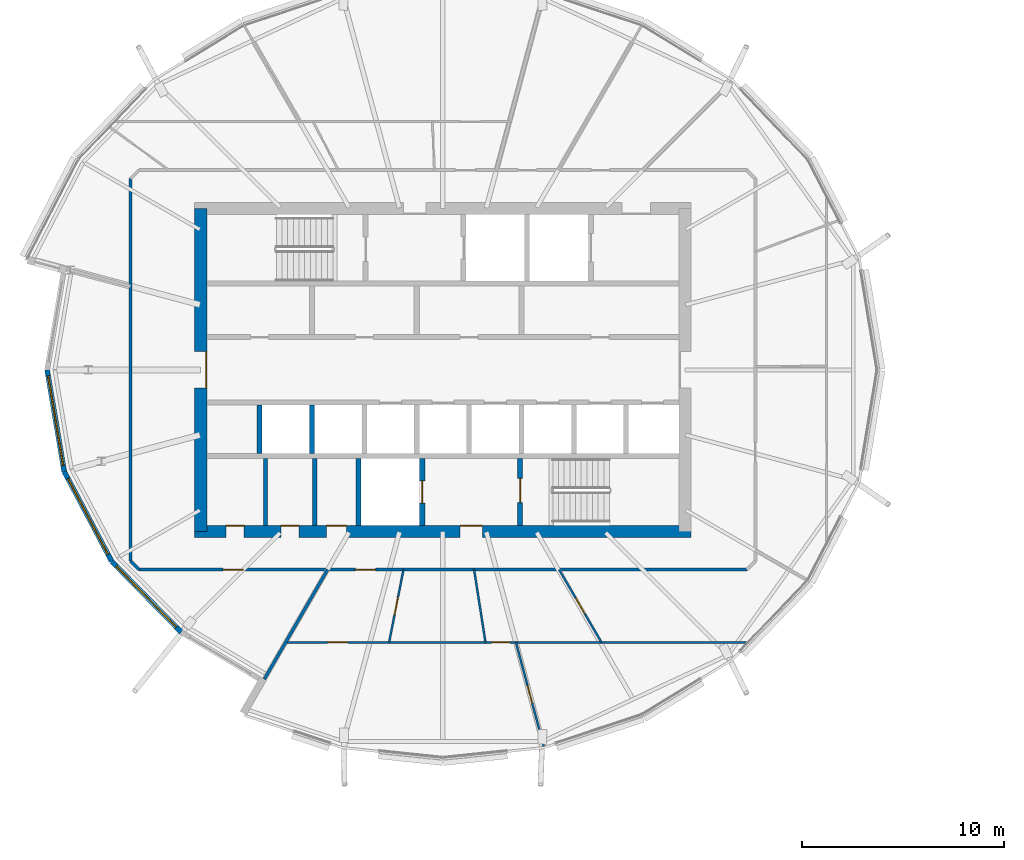
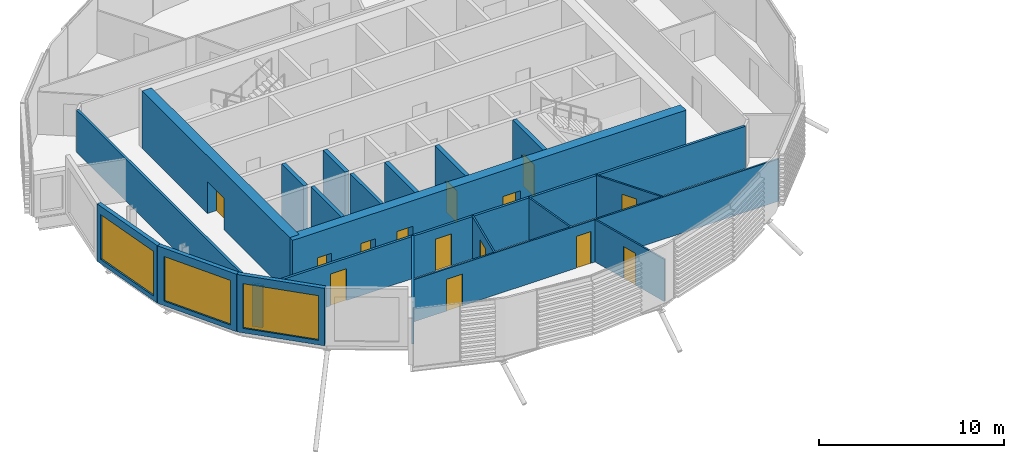
# One storey, part 18 of 35: 22 walls, 14 doors, 3 windows, 17 openings.
"""IFC4 building model written with IfcOpenShell, lengths in metres."""

from ifc_helpers import new_model, si_unit, direction, frame, frame_2d, origin, place, context, subcontext, project, spatial, rectangle, extrude, material, layer, layer_set, type_object, element, fill, save


model = new_model("IFC4")

# Units and contexts
model_context = context("Model", 3, precision=1e-05, world=origin(), true_north=direction((0.0, 1.0)))
body_context = subcontext(model_context, "Body", "Model", "MODEL_VIEW")
ifc_project = project(units=[si_unit("LENGTHUNIT", "METRE"), si_unit("AREAUNIT", "SQUARE_METRE"), si_unit("VOLUMEUNIT", "CUBIC_METRE"), si_unit("PLANEANGLEUNIT", "RADIAN"), si_unit("MASSUNIT", "GRAM", prefix="KILO")], contexts=[model_context])

# Site, building, storey
site_placement = place(None, origin())
site = spatial("IfcSite", under=ifc_project, at=site_placement, CompositionType="ELEMENT")
building_placement = place(site_placement, origin())
building = spatial("IfcBuilding", under=site, at=building_placement, Name="Rimbun Link Towers", CompositionType="ELEMENT")
storey_placement = place(building_placement, frame((0.0, 0.0, 196.89990234375)))
storey = spatial("IfcBuildingStorey", under=building, at=storey_placement, Name="L48", CompositionType="ELEMENT", Elevation=196.89990234375)

# Wall, opening, window
ifc_material_1 = material(Name="Dark enamelled glass spandrel on insulated aluminium backpan", Category="aluminium")
ifc_layer_1 = layer(ifc_material_1, 0.25)
ifc_layer_set_1 = layer_set([ifc_layer_1], Name="CS dark enamelled spandrel wall 250")
wall_type_1 = type_object("IfcWallType", Name="CS dark enamelled spandrel wall 250", PredefinedType="STANDARD", material=ifc_layer_set_1)
wall_1_placement = place(storey_placement, frame((-50.514892578125, -5.036376953125, 0.0), z_axis=(0.0, 0.0, 1.0), x_axis=(-0.165553983504, 0.986200729338, 0.0)))
wall_1 = element("IfcWall", 1, at=wall_1_placement, inside=storey, type_object=wall_type_1, Name="Crease spandrel wall", PredefinedType="STANDARD", context=body_context, shape_type="SweptSolid", body=[
    extrude(rectangle(XDim=5.10693359375, YDim=0.25, at=frame_2d((2.553466796875, 0.0))), origin(), (0.0, 0.0, 1.0), 3.800048828125),
])
opening_1_placement = place(wall_1_placement, frame((0.303466796875, 0.0, 0.300048828125)))
opening_1 = element("IfcOpeningElement", 2, at=opening_1_placement, cuts=wall_1, Name="Opening WR45H295", PredefinedType="OPENING", context=body_context, shape_type="SweptSolid", body=[
    extrude(rectangle(XDim=4.5, YDim=2.949951171875, at=frame_2d((2.25, 1.47509765625))), frame((0.0, 0.135009765625, 0.0), z_axis=(0.0, -1.0, 0.0), x_axis=(1.0, 0.0, 0.0)), (0.0, 0.0, 1.0), 0.27001953125),
])
ifc_material_2 = material(Name="Aluminium framed fixed window, dark tinted low-e glass", Category="aluminium")
window_type_1 = type_object("IfcWindowType", Name="WR ribbon window 4500X2950", PartitioningType="SINGLE_PANEL", PredefinedType="WINDOW", material=ifc_material_2)
window_1_placement = place(opening_1_placement, origin())
window_1 = element("IfcWindow", 3, at=window_1_placement, inside=storey, type_object=window_type_1, Name="Crease ribbon window", OverallHeight=2.949951171875, OverallWidth=4.5, PartitioningType="SINGLE_PANEL", PredefinedType="WINDOW", context=body_context, shape_type="SweptSolid", body=[
    extrude(rectangle(XDim=4.5, YDim=2.949951171875, at=frame_2d((2.25, 1.47509765625))), frame((0.0, 0.030029296875, 0.0), z_axis=(0.0, -1.0, 0.0), x_axis=(1.0, 0.0, 0.0)), (0.0, 0.0, 1.0), 0.06005859375),
])
fill(opening_1, window_1)

wall_2_placement = place(storey_placement, frame((-48.160400390625, -9.490234375, 0.0), z_axis=(0.0, 0.0, 1.0), x_axis=(-0.467355484164, 0.884069483368, 0.0)))
wall_2 = element("IfcWall", 4, at=wall_2_placement, inside=storey, type_object=wall_type_1, Name="Crease spandrel wall", PredefinedType="STANDARD", context=body_context, shape_type="SweptSolid", body=[
    extrude(rectangle(XDim=5.037841796875, YDim=0.25, at=frame_2d((2.51904296875, 0.0))), origin(), (0.0, 0.0, 1.0), 3.800048828125),
])
opening_2_placement = place(wall_2_placement, frame((0.393798828125, 0.0, 0.300048828125)))
opening_2 = element("IfcOpeningElement", 5, at=opening_2_placement, cuts=wall_2, Name="Opening WR42H295", PredefinedType="OPENING", context=body_context, shape_type="SweptSolid", body=[
    extrude(rectangle(XDim=4.25, YDim=2.949951171875, at=frame_2d((2.125, 1.47509765625))), frame((0.0, 0.135009765625, 0.0), z_axis=(0.0, -1.0, 0.0), x_axis=(1.0, 0.0, 0.0)), (0.0, 0.0, 1.0), 0.27001953125),
])
ifc_material_3 = material(Name="Aluminium framed fixed window, dark tinted low-e glass", Category="aluminium")
window_type_2 = type_object("IfcWindowType", Name="WR ribbon window 4250X2950", PartitioningType="SINGLE_PANEL", PredefinedType="WINDOW", material=ifc_material_3)
window_2_placement = place(opening_2_placement, origin())
window_2 = element("IfcWindow", 6, at=window_2_placement, inside=storey, type_object=window_type_2, Name="Crease ribbon window", OverallHeight=2.949951171875, OverallWidth=4.25, PartitioningType="SINGLE_PANEL", PredefinedType="WINDOW", context=body_context, shape_type="SweptSolid", body=[
    extrude(rectangle(XDim=4.25, YDim=2.949951171875, at=frame_2d((2.125, 1.47509765625))), frame((0.0, 0.030029296875, 0.0), z_axis=(0.0, -1.0, 0.0), x_axis=(1.0, 0.0, 0.0)), (0.0, 0.0, 1.0), 0.06005859375),
])
fill(opening_2, window_2)

wall_3_placement = place(storey_placement, frame((-44.72216796875, -12.9931640625, 0.0), z_axis=(0.0, 0.0, 1.0), x_axis=(-0.700485544397, 0.713666590287, 0.0)))
wall_3 = element("IfcWall", 7, at=wall_3_placement, inside=storey, type_object=wall_type_1, Name="Crease spandrel wall", PredefinedType="STANDARD", context=body_context, shape_type="SweptSolid", body=[
    extrude(rectangle(XDim=4.908447265625, YDim=0.25, at=frame_2d((2.4541015625, 0.0))), origin(), (0.0, 0.0, 1.0), 3.800048828125),
])
opening_3_placement = place(wall_3_placement, frame((0.329345703125, 0.0, 0.300048828125)))
opening_3 = element("IfcOpeningElement", 8, at=opening_3_placement, cuts=wall_3, Name="Opening WR42H295", PredefinedType="OPENING", context=body_context, shape_type="SweptSolid", body=[
    extrude(rectangle(XDim=4.25, YDim=2.949951171875, at=frame_2d((2.125, 1.47509765625))), frame((0.0, 0.135009765625, 0.0), z_axis=(0.0, -1.0, 0.0), x_axis=(1.0, 0.0, 0.0)), (0.0, 0.0, 1.0), 0.27001953125),
])
window_3_placement = place(opening_3_placement, origin())
window_3 = element("IfcWindow", 9, at=window_3_placement, inside=storey, type_object=window_type_2, Name="Crease ribbon window", OverallHeight=2.949951171875, OverallWidth=4.25, PartitioningType="SINGLE_PANEL", PredefinedType="WINDOW", context=body_context, shape_type="SweptSolid", body=[
    extrude(rectangle(XDim=4.25, YDim=2.949951171875, at=frame_2d((2.125, 1.47509765625))), frame((0.0, 0.030029296875, 0.0), z_axis=(0.0, -1.0, 0.0), x_axis=(1.0, 0.0, 0.0)), (0.0, 0.0, 1.0), 0.06005859375),
])
fill(opening_3, window_3)

# Walls
ifc_material_4 = material(Name="Masonry blockwork", Category="masonry")
ifc_layer_2 = layer(ifc_material_4, 0.199951171875)
ifc_layer_set_2 = layer_set([ifc_layer_2], Name="Core partition 200")
wall_type_2 = type_object("IfcWallType", Name="Core partition 200", PredefinedType="PARTITIONING", material=ifc_layer_set_2)
for number, where, z_axis, x_axis, name in (
    (10, (-40.550048828125, -4.39990234375, 0.0), (0.0, 0.0, 1.0), (0.0, -1.0, 0.0), "L48 T1 core wall C1"),
    (11, (-38.10009765625, -4.39990234375, 0.0), (0.0, 0.0, 1.0), (0.0, -1.0, 0.0), "L48 T1 core wall C2"),
):
    element("IfcWall", number, at=place(storey_placement, frame(where, z_axis=z_axis, x_axis=x_axis)), inside=storey, type_object=wall_type_2, Name=name, PredefinedType="PARTITIONING", context=body_context, shape_type="SweptSolid", body=[
        extrude(rectangle(XDim=3.300048828125, YDim=0.199951171875, at=frame_2d((1.64990234375, 0.0))), origin(), (0.0, 0.0, 1.0), 3.800048828125),
    ])

# Wall, openings, doors
ifc_material_5 = material(Name="Concrete C60/75", Category="concrete")
ifc_layer_3 = layer(ifc_material_5, 0.60009765625)
ifc_layer_set_3 = layer_set([ifc_layer_3], Name="Core shear wall 600")
wall_type_3 = type_object("IfcWallType", Name="Core shear wall 600", PredefinedType="SHEAR", material=ifc_layer_set_3)
wall_4_placement = place(storey_placement, frame((-44.050048828125, -8.0, 0.0), z_axis=(0.0, 0.0, 1.0), x_axis=(1.0, 0.0, 0.0)))
wall_4 = element("IfcWall", 12, at=wall_4_placement, inside=storey, type_object=wall_type_3, Name="L48 T1 core wall S", PredefinedType="SHEAR", context=body_context, shape_type="SweptSolid", body=[
    extrude(rectangle(XDim=24.60009765625, YDim=0.60009765625, at=frame_2d((12.300048828125, 0.0))), origin(), (0.0, 0.0, 1.0), 3.800048828125),
])
opening_4_placement = place(wall_4_placement, frame((13.14990234375, 0.0, 0.0)))
opening_4 = element("IfcOpeningElement", 13, at=opening_4_placement, cuts=wall_4, Name="Opening C1DCF01S", PredefinedType="OPENING", context=body_context, shape_type="SweptSolid", body=[
    extrude(rectangle(XDim=1.10009765625, YDim=2.10009765625, at=frame_2d((0.550048828125, 1.050048828125))), frame((0.0, 0.31005859375, 0.0), z_axis=(0.0, -1.0, 0.0), x_axis=(1.0, 0.0, 0.0)), (0.0, 0.0, 1.0), 0.6201171875),
])
opening_5_placement = place(wall_4_placement, frame((1.550048828125, 0.0, 0.0)))
opening_5 = element("IfcOpeningElement", 14, at=opening_5_placement, cuts=wall_4, Name="Opening C1DWC02S", PredefinedType="OPENING", context=body_context, shape_type="SweptSolid", body=[
    extrude(rectangle(XDim=0.89990234375, YDim=2.10009765625, at=frame_2d((0.449951171875, 1.050048828125))), frame((0.0, 0.31005859375, 0.0), z_axis=(0.0, -1.0, 0.0), x_axis=(1.0, 0.0, 0.0)), (0.0, 0.0, 1.0), 0.6201171875),
])
opening_6_placement = place(wall_4_placement, frame((4.27490234375, 0.0, 0.0)))
opening_6 = element("IfcOpeningElement", 15, at=opening_6_placement, cuts=wall_4, Name="Opening C1DWC03S", PredefinedType="OPENING", context=body_context, shape_type="SweptSolid", body=[
    extrude(rectangle(XDim=0.89990234375, YDim=2.10009765625, at=frame_2d((0.449951171875, 1.050048828125))), frame((0.0, 0.31005859375, 0.0), z_axis=(0.0, -1.0, 0.0), x_axis=(1.0, 0.0, 0.0)), (0.0, 0.0, 1.0), 0.6201171875),
])
opening_7_placement = place(wall_4_placement, frame((6.52490234375, 0.0, 0.0)))
opening_7 = element("IfcOpeningElement", 16, at=opening_7_placement, cuts=wall_4, Name="Opening C1DAW04S", PredefinedType="OPENING", context=body_context, shape_type="SweptSolid", body=[
    extrude(rectangle(XDim=1.0, YDim=2.10009765625, at=frame_2d((0.5, 1.050048828125))), frame((0.0, 0.31005859375, 0.0), z_axis=(0.0, -1.0, 0.0), x_axis=(1.0, 0.0, 0.0)), (0.0, 0.0, 1.0), 0.6201171875),
])
ifc_material_6 = material(Name="Timber", Category="wood")
door_type_1 = type_object("IfcDoorType", Name="Accessible WC door", OperationType="SINGLE_SWING_LEFT", PredefinedType="DOOR", material=ifc_material_6)
door_1_placement = place(opening_7_placement, origin())
door_1 = element("IfcDoor", 17, at=door_1_placement, inside=storey, type_object=door_type_1, Name="L48 T1 accessible wc door", OperationType="SINGLE_SWING_RIGHT", OverallHeight=2.10009765625, OverallWidth=1.0, PredefinedType="DOOR", context=body_context, shape_type="SweptSolid", body=[
    extrude(rectangle(XDim=1.0, YDim=2.10009765625, at=frame_2d((0.5, 1.050048828125))), frame((0.0, 0.2998046875, 0.0), z_axis=(0.0, -1.0, 0.0), x_axis=(1.0, 0.0, 0.0)), (0.0, 0.0, 1.0), 0.050048828125),
])
fill(opening_7, door_1)
ifc_material_7 = material(Name="Steel fire door set", Category="steel")
door_type_2 = type_object("IfcDoorType", Name="Core fire door single", OperationType="SINGLE_SWING_LEFT", PredefinedType="DOOR", material=ifc_material_7)
door_2_placement = place(opening_4_placement, origin())
door_2 = element("IfcDoor", 18, at=door_2_placement, inside=storey, type_object=door_type_2, Name="L48 T1 firefighting lobby s door", OperationType="SINGLE_SWING_RIGHT", OverallHeight=2.10009765625, OverallWidth=1.10009765625, PredefinedType="DOOR", context=body_context, shape_type="SweptSolid", body=[
    extrude(rectangle(XDim=1.10009765625, YDim=2.10009765625, at=frame_2d((0.550048828125, 1.050048828125))), frame((0.0, 0.2998046875, 0.0), z_axis=(0.0, -1.0, 0.0), x_axis=(1.0, 0.0, 0.0)), (0.0, 0.0, 1.0), 0.050048828125),
])
fill(opening_4, door_2)
ifc_material_8 = material(Name="Timber", Category="wood")
door_type_3 = type_object("IfcDoorType", Name="WC door", OperationType="SINGLE_SWING_LEFT", PredefinedType="DOOR", material=ifc_material_8)
door_3_placement = place(opening_5_placement, origin())
door_3 = element("IfcDoor", 19, at=door_3_placement, inside=storey, type_object=door_type_3, Name="L48 T1 male wc door", OperationType="SINGLE_SWING_RIGHT", OverallHeight=2.10009765625, OverallWidth=0.89990234375, PredefinedType="DOOR", context=body_context, shape_type="SweptSolid", body=[
    extrude(rectangle(XDim=0.89990234375, YDim=2.10009765625, at=frame_2d((0.449951171875, 1.050048828125))), frame((0.0, 0.2998046875, 0.0), z_axis=(0.0, -1.0, 0.0), x_axis=(1.0, 0.0, 0.0)), (0.0, 0.0, 1.0), 0.050048828125),
])
fill(opening_5, door_3)
door_4_placement = place(opening_6_placement, origin())
door_4 = element("IfcDoor", 20, at=door_4_placement, inside=storey, type_object=door_type_3, Name="L48 T1 female wc door", OperationType="SINGLE_SWING_LEFT", OverallHeight=2.10009765625, OverallWidth=0.89990234375, PredefinedType="DOOR", context=body_context, shape_type="SweptSolid", body=[
    extrude(rectangle(XDim=0.89990234375, YDim=2.10009765625, at=frame_2d((0.449951171875, 1.050048828125))), frame((0.0, 0.2998046875, 0.0), z_axis=(0.0, -1.0, 0.0), x_axis=(1.0, 0.0, 0.0)), (0.0, 0.0, 1.0), 0.050048828125),
])
fill(opening_6, door_4)

# Wall, opening, door
wall_5_placement = place(storey_placement, frame((-43.75, -8.0, 0.0), z_axis=(0.0, 0.0, 1.0), x_axis=(0.0, 1.0, 0.0)))
wall_5 = element("IfcWall", 21, at=wall_5_placement, inside=storey, type_object=wall_type_3, Name="L48 T1 core wall W", PredefinedType="SHEAR", context=body_context, shape_type="SweptSolid", body=[
    extrude(rectangle(XDim=16.0, YDim=0.60009765625, at=frame_2d((8.0, 0.0))), origin(), (0.0, 0.0, 1.0), 3.800048828125),
])
opening_8_placement = place(wall_5_placement, frame((7.10009765625, 0.0, 0.0)))
opening_8 = element("IfcOpeningElement", 22, at=opening_8_placement, cuts=wall_5, Name="Opening C1DCL01W", PredefinedType="OPENING", context=body_context, shape_type="SweptSolid", body=[
    extrude(rectangle(XDim=1.800048828125, YDim=2.10009765625, at=frame_2d((0.89990234375, 1.050048828125))), frame((0.0, 0.31005859375, 0.0), z_axis=(0.0, -1.0, 0.0), x_axis=(1.0, 0.0, 0.0)), (0.0, 0.0, 1.0), 0.6201171875),
])
ifc_material_9 = material(Name="Steel fire door set", Category="steel")
door_type_4 = type_object("IfcDoorType", Name="Core lobby door double", OperationType="DOUBLE_DOOR_SINGLE_SWING", PredefinedType="DOOR", material=ifc_material_9)
door_5_placement = place(opening_8_placement, origin())
door_5 = element("IfcDoor", 23, at=door_5_placement, inside=storey, type_object=door_type_4, Name="L48 T1 lift lobby door", OperationType="DOUBLE_DOOR_SINGLE_SWING", OverallHeight=2.10009765625, OverallWidth=1.800048828125, PredefinedType="DOOR", context=body_context, shape_type="SweptSolid", body=[
    extrude(rectangle(XDim=1.800048828125, YDim=2.10009765625, at=frame_2d((0.89990234375, 1.050048828125))), frame((0.0, -0.25, 0.0), z_axis=(0.0, -1.0, 0.0), x_axis=(1.0, 0.0, 0.0)), (0.0, 0.0, 1.0), 0.050048828125),
])
fill(opening_8, door_5)

# Wall, openings, doors
ifc_material_10 = material(Name="Plasterboard on steel stud, mineral wool", Category="steel")
ifc_layer_4 = layer(ifc_material_10, 0.14990234375)
ifc_layer_set_4 = layer_set([ifc_layer_4], Name="Corridor wall EI 30 150 mm")
wall_type_4 = type_object("IfcWallType", Name="Corridor wall EI 30 150 mm", PredefinedType="PARTITIONING", material=ifc_layer_set_4)
wall_6_placement = place(storey_placement, frame((-16.6962890625, -9.89501953125, 0.0), z_axis=(0.0, 0.0, 1.0), x_axis=(-1.0, 0.0, 0.0)))
wall_6 = element("IfcWall", 24, at=wall_6_placement, inside=storey, type_object=wall_type_4, Name="Corridor wall EI 30 150 mm", PredefinedType="PARTITIONING", context=body_context, shape_type="SweptSolid", body=[
    extrude(rectangle(XDim=30.107421875, YDim=0.14990234375, at=frame_2d((15.0537109375, 0.0))), origin(), (0.0, 0.0, 1.0), 2.7890625),
])
opening_9_placement = place(wall_6_placement, frame((18.386962890625, 0.0, 0.0)))
opening_9 = element("IfcOpeningElement", 25, at=opening_9_placement, cuts=wall_6, Name="Opening D01", PredefinedType="OPENING", context=body_context, shape_type="SweptSolid", body=[
    extrude(rectangle(XDim=1.0, YDim=2.10009765625, at=frame_2d((0.5, 1.050048828125))), frame((0.0, 0.0849609375, 0.0), z_axis=(0.0, -1.0, 0.0), x_axis=(1.0, 0.0, 0.0)), (0.0, 0.0, 1.0), 0.169921875),
])
opening_10_placement = place(wall_6_placement, frame((24.93701171875, 0.0, 0.0)))
opening_10 = element("IfcOpeningElement", 26, at=opening_10_placement, cuts=wall_6, Name="Opening D01", PredefinedType="OPENING", context=body_context, shape_type="SweptSolid", body=[
    extrude(rectangle(XDim=1.0, YDim=2.10009765625, at=frame_2d((0.5, 1.050048828125))), frame((0.0, 0.0849609375, 0.0), z_axis=(0.0, -1.0, 0.0), x_axis=(1.0, 0.0, 0.0)), (0.0, 0.0, 1.0), 0.169921875),
])
ifc_material_11 = material(Name="Fire-resisting timber door leaf", Category="wood")
door_type_5 = type_object("IfcDoorType", Name="Fire door FD30S 1000", OperationType="NOTDEFINED", PredefinedType="DOOR", material=ifc_material_11)
door_6_placement = place(opening_9_placement, origin())
door_6 = element("IfcDoor", 27, at=door_6_placement, inside=storey, type_object=door_type_5, Name="Fire door FD30S 1000 to Tenant lobby", OperationType="SINGLE_SWING_LEFT", OverallHeight=2.10009765625, OverallWidth=1.0, PredefinedType="DOOR", context=body_context, shape_type="SweptSolid", body=[
    extrude(rectangle(XDim=1.0, YDim=2.10009765625, at=frame_2d((0.5, 1.050048828125))), frame((0.0, 0.02490234375, 0.0), z_axis=(0.0, -1.0, 0.0), x_axis=(1.0, 0.0, 0.0)), (0.0, 0.0, 1.0), 0.050048828125),
])
fill(opening_9, door_6)
door_7_placement = place(opening_10_placement, origin())
door_7 = element("IfcDoor", 28, at=door_7_placement, inside=storey, type_object=door_type_5, Name="Fire door FD30S 1000 to Terrace office", OperationType="SINGLE_SWING_RIGHT", OverallHeight=2.10009765625, OverallWidth=1.0, PredefinedType="DOOR", context=body_context, shape_type="SweptSolid", body=[
    extrude(rectangle(XDim=1.0, YDim=2.10009765625, at=frame_2d((0.5, 1.050048828125))), frame((0.0, 0.02490234375, 0.0), z_axis=(0.0, -1.0, 0.0), x_axis=(1.0, 0.0, 0.0)), (0.0, 0.0, 1.0), 0.050048828125),
])
fill(opening_10, door_7)

# Walls
wall_7_placement = place(storey_placement, frame((-47.22509765625, -9.4736328125, 0.0), z_axis=(0.0, 0.0, 1.0), x_axis=(0.707106781187, -0.707106781187, 0.0)))
element("IfcWall", 29, at=wall_7_placement, inside=storey, type_object=wall_type_4, Name="Corridor wall EI 30 150 mm", PredefinedType="PARTITIONING", context=body_context, shape_type="SweptSolid", body=[
    extrude(rectangle(XDim=0.595947265625, YDim=0.14990234375, at=frame_2d((0.2978515625, 0.0))), origin(), (0.0, 0.0, 1.0), 2.7890625),
])
wall_8_placement = place(storey_placement, frame((-47.22509765625, 9.4736328125, 0.0), z_axis=(0.0, 0.0, 1.0), x_axis=(0.0, -1.0, 0.0)))
element("IfcWall", 30, at=wall_8_placement, inside=storey, type_object=wall_type_4, Name="Corridor wall EI 30 150 mm", PredefinedType="PARTITIONING", context=body_context, shape_type="SweptSolid", body=[
    extrude(rectangle(XDim=18.947265625, YDim=0.14990234375, at=frame_2d((9.4736328125, 0.0))), origin(), (0.0, 0.0, 1.0), 2.7890625),
])

# Wall, opening, door
ifc_material_12 = material(Name="Plasterboard on steel stud", Category="steel")
ifc_layer_5 = layer(ifc_material_12, 0.10009765625)
ifc_layer_set_5 = layer_set([ifc_layer_5], Name="Plasterboard partition 100 mm")
wall_type_5 = type_object("IfcWallType", Name="Plasterboard partition 100 mm", PredefinedType="PARTITIONING", material=ifc_layer_set_5)
wall_9_placement = place(storey_placement, frame((-33.703857421875, -9.89501953125, 0.0), z_axis=(0.0, 0.0, 1.0), x_axis=(-0.193735824975, -0.981053734574, 0.0)))
wall_9 = element("IfcWall", 31, at=wall_9_placement, inside=storey, type_object=wall_type_5, Name="Plasterboard partition 100 mm", PredefinedType="PARTITIONING", context=body_context, shape_type="SweptSolid", body=[
    extrude(rectangle(XDim=3.669677734375, YDim=0.10009765625, at=frame_2d((1.8349609375, 0.0))), origin(), (0.0, 0.0, 1.0), 2.7890625),
])
opening_11_placement = place(wall_9_placement, frame((1.384765625, 0.0, 0.0)))
opening_11 = element("IfcOpeningElement", 32, at=opening_11_placement, cuts=wall_9, Name="Opening D04", PredefinedType="OPENING", context=body_context, shape_type="SweptSolid", body=[
    extrude(rectangle(XDim=0.89990234375, YDim=2.10009765625, at=frame_2d((0.449951171875, 1.050048828125))), frame((0.0, 0.06005859375, 0.0), z_axis=(0.0, -1.0, 0.0), x_axis=(1.0, 0.0, 0.0)), (0.0, 0.0, 1.0), 0.1201171875),
])
ifc_material_13 = material(Name="Timber door leaf", Category="wood")
door_type_6 = type_object("IfcDoorType", Name="Flush door 900", OperationType="NOTDEFINED", PredefinedType="DOOR", material=ifc_material_13)
door_8_placement = place(opening_11_placement, origin())
door_8 = element("IfcDoor", 33, at=door_8_placement, inside=storey, type_object=door_type_6, Name="Flush door 900 to Huddle room", OperationType="SINGLE_SWING_LEFT", OverallHeight=2.10009765625, OverallWidth=0.89990234375, PredefinedType="DOOR", context=body_context, shape_type="SweptSolid", body=[
    extrude(rectangle(XDim=0.89990234375, YDim=2.10009765625, at=frame_2d((0.449951171875, 1.050048828125))), frame((0.0, 0.02490234375, 0.0), z_axis=(0.0, -1.0, 0.0), x_axis=(1.0, 0.0, 0.0)), (0.0, 0.0, 1.0), 0.050048828125),
])
fill(opening_11, door_8)

# Wall, openings, doors
wall_10_placement = place(storey_placement, frame((-28.134033203125, -13.4951171875, 0.0), z_axis=(0.0, 0.0, 1.0), x_axis=(-1.0, 0.0, 0.0)))
wall_10 = element("IfcWall", 34, at=wall_10_placement, inside=storey, type_object=wall_type_5, Name="Plasterboard partition 100 mm", PredefinedType="PARTITIONING", context=body_context, shape_type="SweptSolid", body=[
    extrude(rectangle(XDim=11.4072265625, YDim=0.10009765625, at=frame_2d((5.70361328125, 0.0))), origin(), (0.0, 0.0, 1.0), 2.7890625),
])
opening_12_placement = place(wall_10_placement, frame((8.32861328125, 0.0, 0.0)))
opening_12 = element("IfcOpeningElement", 35, at=opening_12_placement, cuts=wall_10, Name="Opening D03", PredefinedType="OPENING", context=body_context, shape_type="SweptSolid", body=[
    extrude(rectangle(XDim=1.0, YDim=2.10009765625, at=frame_2d((0.5, 1.050048828125))), frame((0.0, 0.06005859375, 0.0), z_axis=(0.0, -1.0, 0.0), x_axis=(1.0, 0.0, 0.0)), (0.0, 0.0, 1.0), 0.1201171875),
])
opening_13_placement = place(wall_10_placement, frame((0.300048828125, 0.0, 0.0)))
opening_13 = element("IfcOpeningElement", 36, at=opening_13_placement, cuts=wall_10, Name="Opening D04", PredefinedType="OPENING", context=body_context, shape_type="SweptSolid", body=[
    extrude(rectangle(XDim=0.89990234375, YDim=2.10009765625, at=frame_2d((0.449951171875, 1.050048828125))), frame((0.0, 0.06005859375, 0.0), z_axis=(0.0, -1.0, 0.0), x_axis=(1.0, 0.0, 0.0)), (0.0, 0.0, 1.0), 0.1201171875),
])
ifc_material_14 = material(Name="Timber door leaf", Category="wood")
door_type_7 = type_object("IfcDoorType", Name="Flush door 1000", OperationType="NOTDEFINED", PredefinedType="DOOR", material=ifc_material_14)
door_9_placement = place(opening_12_placement, origin())
door_9 = element("IfcDoor", 37, at=door_9_placement, inside=storey, type_object=door_type_7, Name="Flush door 1000 to Open office", OperationType="SINGLE_SWING_RIGHT", OverallHeight=2.10009765625, OverallWidth=1.0, PredefinedType="DOOR", context=body_context, shape_type="SweptSolid", body=[
    extrude(rectangle(XDim=1.0, YDim=2.10009765625, at=frame_2d((0.5, 1.050048828125))), frame((0.0, 0.02490234375, 0.0), z_axis=(0.0, -1.0, 0.0), x_axis=(1.0, 0.0, 0.0)), (0.0, 0.0, 1.0), 0.050048828125),
])
fill(opening_12, door_9)
door_10_placement = place(opening_13_placement, origin())
door_10 = element("IfcDoor", 38, at=door_10_placement, inside=storey, type_object=door_type_6, Name="Flush door 900 to Huddle room", OperationType="SINGLE_SWING_LEFT", OverallHeight=2.10009765625, OverallWidth=0.89990234375, PredefinedType="DOOR", context=body_context, shape_type="SweptSolid", body=[
    extrude(rectangle(XDim=0.89990234375, YDim=2.10009765625, at=frame_2d((0.449951171875, 1.050048828125))), frame((0.0, 0.02490234375, 0.0), z_axis=(0.0, -1.0, 0.0), x_axis=(1.0, 0.0, 0.0)), (0.0, 0.0, 1.0), 0.050048828125),
])
fill(opening_13, door_10)

# Wall
wall_11_placement = place(storey_placement, frame((-29.6416015625, -13.4951171875, 0.0), z_axis=(0.0, 0.0, 1.0), x_axis=(-0.154372792443, 0.988012672466, 0.0)))
element("IfcWall", 39, at=wall_11_placement, inside=storey, type_object=wall_type_5, Name="Plasterboard partition 100 mm", PredefinedType="PARTITIONING", context=body_context, shape_type="SweptSolid", body=[
    extrude(rectangle(XDim=3.643798828125, YDim=0.10009765625, at=frame_2d((1.82177734375, 0.0))), origin(), (0.0, 0.0, 1.0), 2.7890625),
])

# Wall, opening, door
wall_12_placement = place(storey_placement, frame((-25.991943359375, -9.89501953125, 0.0), z_axis=(0.0, 0.0, 1.0), x_axis=(0.502915871777, -0.864335366576, 0.0)))
wall_12 = element("IfcWall", 40, at=wall_12_placement, inside=storey, type_object=wall_type_5, Name="Plasterboard partition 100 mm", PredefinedType="PARTITIONING", context=body_context, shape_type="SweptSolid", body=[
    extrude(rectangle(XDim=4.165283203125, YDim=0.10009765625, at=frame_2d((2.08251953125, 0.0))), origin(), (0.0, 0.0, 1.0), 2.7890625),
])
opening_14_placement = place(wall_12_placement, frame((1.632568359375, 0.0, 0.0)))
opening_14 = element("IfcOpeningElement", 41, at=opening_14_placement, cuts=wall_12, Name="Opening D04", PredefinedType="OPENING", context=body_context, shape_type="SweptSolid", body=[
    extrude(rectangle(XDim=0.89990234375, YDim=2.10009765625, at=frame_2d((0.449951171875, 1.050048828125))), frame((0.0, 0.06005859375, 0.0), z_axis=(0.0, -1.0, 0.0), x_axis=(1.0, 0.0, 0.0)), (0.0, 0.0, 1.0), 0.1201171875),
])
door_11_placement = place(opening_14_placement, origin())
door_11 = element("IfcDoor", 42, at=door_11_placement, inside=storey, type_object=door_type_6, Name="Flush door 900 to Pantry", OperationType="SINGLE_SWING_RIGHT", OverallHeight=2.10009765625, OverallWidth=0.89990234375, PredefinedType="DOOR", context=body_context, shape_type="SweptSolid", body=[
    extrude(rectangle(XDim=0.89990234375, YDim=2.10009765625, at=frame_2d((0.449951171875, 1.050048828125))), frame((0.0, 0.02490234375, 0.0), z_axis=(0.0, -1.0, 0.0), x_axis=(1.0, 0.0, 0.0)), (0.0, 0.0, 1.0), 0.050048828125),
])
fill(opening_14, door_11)

# Wall
wall_13_placement = place(storey_placement, frame((-28.134033203125, -13.4951171875, 0.0), z_axis=(0.0, 0.0, 1.0), x_axis=(1.0, 0.0, 0.0)))
element("IfcWall", 43, at=wall_13_placement, inside=storey, type_object=wall_type_5, Name="Plasterboard partition 100 mm", PredefinedType="PARTITIONING", context=body_context, shape_type="SweptSolid", body=[
    extrude(rectangle(XDim=11.47216796875, YDim=0.10009765625, at=frame_2d((5.736083984375, 0.0))), origin(), (0.0, 0.0, 1.0), 2.7890625),
])

# Wall, opening, door
wall_14_placement = place(storey_placement, frame((-28.134033203125, -13.4951171875, 0.0), z_axis=(0.0, 0.0, 1.0), x_axis=(0.258845731319, -0.965918675344, 0.0)))
wall_14 = element("IfcWall", 44, at=wall_14_placement, inside=storey, type_object=wall_type_5, Name="Plasterboard partition 100 mm", PredefinedType="PARTITIONING", context=body_context, shape_type="SweptSolid", body=[
    extrude(rectangle(XDim=5.34228515625, YDim=0.10009765625, at=frame_2d((2.671142578125, 0.0))), origin(), (0.0, 0.0, 1.0), 2.7890625),
])
opening_15_placement = place(wall_14_placement, frame((2.22119140625, 0.0, 0.0)))
opening_15 = element("IfcOpeningElement", 45, at=opening_15_placement, cuts=wall_14, Name="Opening D04", PredefinedType="OPENING", context=body_context, shape_type="SweptSolid", body=[
    extrude(rectangle(XDim=0.89990234375, YDim=2.10009765625, at=frame_2d((0.449951171875, 1.050048828125))), frame((0.0, 0.06005859375, 0.0), z_axis=(0.0, -1.0, 0.0), x_axis=(1.0, 0.0, 0.0)), (0.0, 0.0, 1.0), 0.1201171875),
])
door_12_placement = place(opening_15_placement, origin())
door_12 = element("IfcDoor", 46, at=door_12_placement, inside=storey, type_object=door_type_6, Name="Flush door 900 to Project room", OperationType="SINGLE_SWING_LEFT", OverallHeight=2.10009765625, OverallWidth=0.89990234375, PredefinedType="DOOR", context=body_context, shape_type="SweptSolid", body=[
    extrude(rectangle(XDim=0.89990234375, YDim=2.10009765625, at=frame_2d((0.449951171875, 1.050048828125))), frame((0.0, 0.02490234375, 0.0), z_axis=(0.0, -1.0, 0.0), x_axis=(1.0, 0.0, 0.0)), (0.0, 0.0, 1.0), 0.050048828125),
])
fill(opening_15, door_12)

# Walls
ifc_material_15 = material(Name="Concrete C60/75", Category="concrete")
ifc_layer_6 = layer(ifc_material_15, 0.25)
ifc_layer_set_6 = layer_set([ifc_layer_6], Name="Shaft wall 250")
wall_type_6 = type_object("IfcWallType", Name="Shaft wall 250", PredefinedType="SHEAR", material=ifc_layer_set_6)
for number, where, z_axis, x_axis, name in (
    (47, (-40.83056640625, -4.14990234375, 0.0), (0.0, 0.0, 1.0), (0.0, 1.0, 0.0), "L48 T1 core wall DS0"),
    (48, (-38.236083984375, -4.14990234375, 0.0), (0.0, 0.0, 1.0), (0.0, 1.0, 0.0), "L48 T1 core wall DS1"),
):
    element("IfcWall", number, at=place(storey_placement, frame(where, z_axis=z_axis, x_axis=x_axis)), inside=storey, type_object=wall_type_6, Name=name, PredefinedType="SHEAR", context=body_context, shape_type="SweptSolid", body=[
        extrude(rectangle(XDim=2.39990234375, YDim=0.25, at=frame_2d((1.199951171875, 0.0))), origin(), (0.0, 0.0, 1.0), 3.800048828125),
    ])

# Wall, opening, door
wall_15_placement = place(storey_placement, frame((-27.925048828125, -4.39990234375, 0.0), z_axis=(0.0, 0.0, 1.0), x_axis=(0.0, -1.0, 0.0)))
wall_15 = element("IfcWall", 49, at=wall_15_placement, inside=storey, type_object=wall_type_6, Name="L48 T1 core wall B1", PredefinedType="SHEAR", context=body_context, shape_type="SweptSolid", body=[
    extrude(rectangle(XDim=3.300048828125, YDim=0.25, at=frame_2d((1.64990234375, 0.0))), origin(), (0.0, 0.0, 1.0), 3.800048828125),
])
opening_16_placement = place(wall_15_placement, frame((0.97509765625, 0.0, 0.0)))
opening_16 = element("IfcOpeningElement", 50, at=opening_16_placement, cuts=wall_15, Name="Opening C1DST01B1", PredefinedType="OPENING", context=body_context, shape_type="SweptSolid", body=[
    extrude(rectangle(XDim=1.199951171875, YDim=2.10009765625, at=frame_2d((0.60009765625, 1.050048828125))), frame((0.0, 0.135009765625, 0.0), z_axis=(0.0, -1.0, 0.0), x_axis=(1.0, 0.0, 0.0)), (0.0, 0.0, 1.0), 0.27001953125),
])
ifc_material_16 = material(Name="Steel fire door set", Category="steel")
door_type_8 = type_object("IfcDoorType", Name="Stair door", OperationType="SINGLE_SWING_LEFT", PredefinedType="DOOR", material=ifc_material_16)
door_13_placement = place(opening_16_placement, origin())
door_13 = element("IfcDoor", 51, at=door_13_placement, inside=storey, type_object=door_type_8, Name="L48 T1 stair b door", OperationType="SINGLE_SWING_RIGHT", OverallHeight=2.10009765625, OverallWidth=1.199951171875, PredefinedType="DOOR", context=body_context, shape_type="SweptSolid", body=[
    extrude(rectangle(XDim=1.199951171875, YDim=2.10009765625, at=frame_2d((0.60009765625, 1.050048828125))), frame((0.0, 0.02490234375, 0.0), z_axis=(0.0, -1.0, 0.0), x_axis=(1.0, 0.0, 0.0)), (0.0, 0.0, 1.0), 0.050048828125),
])
fill(opening_16, door_13)

wall_16_placement = place(storey_placement, frame((-32.77490234375, -4.39990234375, 0.0), z_axis=(0.0, 0.0, 1.0), x_axis=(0.0, -1.0, 0.0)))
wall_16 = element("IfcWall", 52, at=wall_16_placement, inside=storey, type_object=wall_type_6, Name="L48 T1 core wall B2", PredefinedType="SHEAR", context=body_context, shape_type="SweptSolid", body=[
    extrude(rectangle(XDim=3.300048828125, YDim=0.25, at=frame_2d((1.64990234375, 0.0))), origin(), (0.0, 0.0, 1.0), 3.800048828125),
])
opening_17_placement = place(wall_16_placement, frame((1.10009765625, 0.0, 0.0)))
opening_17 = element("IfcOpeningElement", 53, at=opening_17_placement, cuts=wall_16, Name="Opening LD-T1-FF2", PredefinedType="OPENING", context=body_context, shape_type="SweptSolid", body=[
    extrude(rectangle(XDim=1.10009765625, YDim=2.10009765625, at=frame_2d((0.550048828125, 1.050048828125))), frame((0.0, 0.135009765625, 0.0), z_axis=(0.0, -1.0, 0.0), x_axis=(1.0, 0.0, 0.0)), (0.0, 0.0, 1.0), 0.27001953125),
])
ifc_material_17 = material(Name="Stainless steel grade 316", Category="steel")
door_type_9 = type_object("IfcDoorType", Name="Lift landing door", OperationType="DOUBLE_DOOR_SLIDING", PredefinedType="DOOR", material=ifc_material_17)
door_14_placement = place(opening_17_placement, origin())
door_14 = element("IfcDoor", 54, at=door_14_placement, inside=storey, type_object=door_type_9, Name="L48 T1 lift FF2 landing door", OperationType="DOUBLE_DOOR_SLIDING", OverallHeight=2.10009765625, OverallWidth=1.10009765625, PredefinedType="DOOR", context=body_context, shape_type="SweptSolid", body=[
    extrude(rectangle(XDim=1.10009765625, YDim=2.10009765625, at=frame_2d((0.550048828125, 1.050048828125))), frame((0.0, 0.02490234375, 0.0), z_axis=(0.0, -1.0, 0.0), x_axis=(1.0, 0.0, 0.0)), (0.0, 0.0, 1.0), 0.050048828125),
])
fill(opening_17, door_14)

# Walls
wall_17_placement = place(storey_placement, frame((-35.925048828125, -4.39990234375, 0.0), z_axis=(0.0, 0.0, 1.0), x_axis=(0.0, -1.0, 0.0)))
element("IfcWall", 55, at=wall_17_placement, inside=storey, type_object=wall_type_6, Name="L48 T1 core wall B3", PredefinedType="SHEAR", context=body_context, shape_type="SweptSolid", body=[
    extrude(rectangle(XDim=3.300048828125, YDim=0.25, at=frame_2d((1.64990234375, 0.0))), origin(), (0.0, 0.0, 1.0), 3.800048828125),
])
ifc_material_18 = material(Name="Plasterboard on steel stud, mineral wool", Category="steel")
ifc_layer_7 = layer(ifc_material_18, 0.14990234375)
ifc_layer_set_7 = layer_set([ifc_layer_7], Name="Tenancy separation wall EI 60 150 mm")
wall_type_7 = type_object("IfcWallType", Name="Tenancy separation wall EI 60 150 mm", PredefinedType="PARTITIONING", material=ifc_layer_set_7)
wall_18_placement = place(storey_placement, frame((-37.462890625, -9.89501953125, 0.0), z_axis=(0.0, 0.0, 1.0), x_axis=(-0.499984593637, -0.866034298469, 0.0)))
element("IfcWall", 56, at=wall_18_placement, inside=storey, type_object=wall_type_7, Name="Tenancy separation wall EI 60 150 mm", PredefinedType="PARTITIONING", context=body_context, shape_type="SweptSolid", body=[
    extrude(rectangle(XDim=6.261474609375, YDim=0.14990234375, at=frame_2d((3.130859375, 0.0))), origin(), (0.0, 0.0, 1.0), 2.7890625),
])

save(model, "model.ifc")
